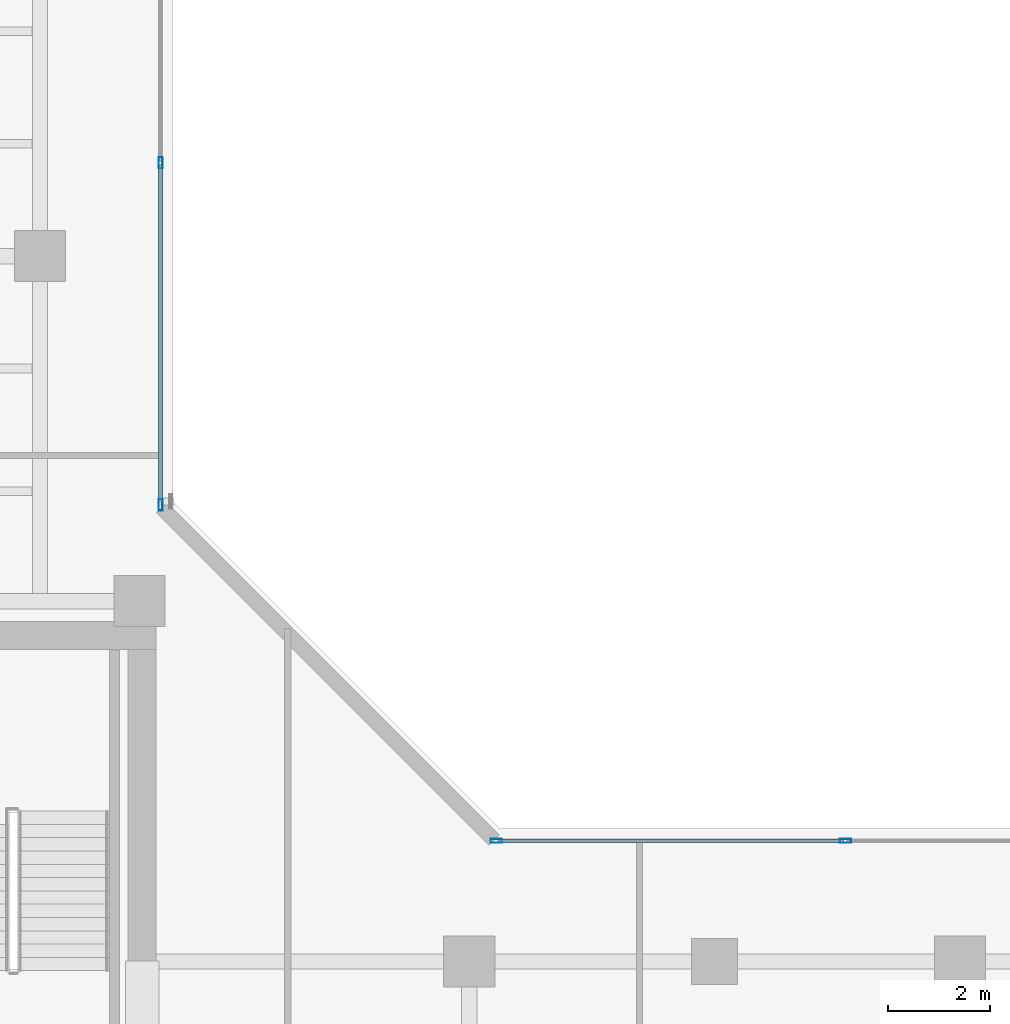
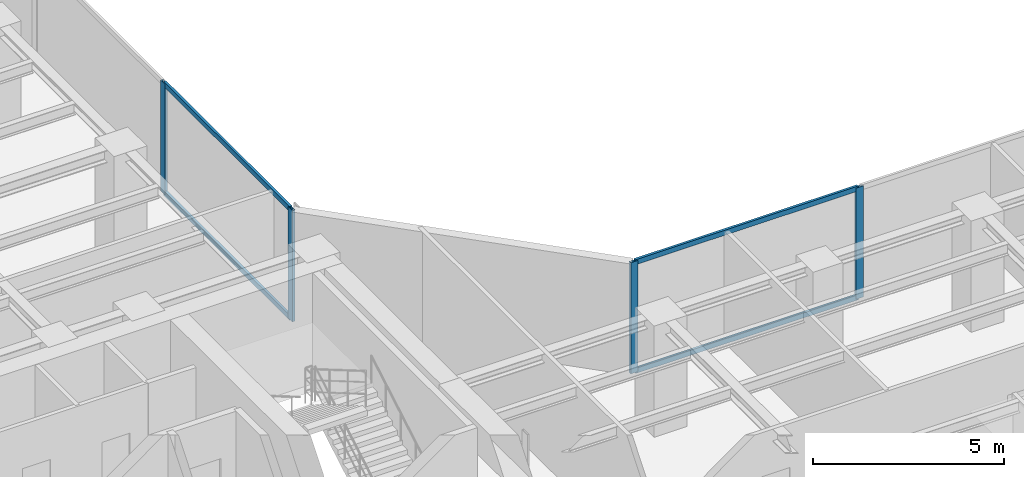
# One storey, part 9 of 23: 8 members, 2 elements without a shape of their own.
"""IFC4 building model written with IfcOpenShell, lengths in metres."""

import ifcopenshell
import ifcopenshell.guid

model = None  # the IFC model being written
_history = None  # IfcOwnerHistory: only IFC2X3 demands one
_inside = {}  # id of a spatial element -> (the spatial element, [elements in it])
_under = {}  # id of a project, library or spatial element -> (it, [spatial elements below it])
_declared = {}  # id of a project -> (the project, [libraries it declares])
_typed = {}  # id of a type object -> (the type object, [elements of that type])
_made_of = {}  # id of a material, layer set ... -> (it, [elements and type objects made of it])


def new_model(schema):
    """Start an empty IFC model of exactly this schema.

    Asked for "IFC4X3", IfcOpenShell would pick the latest addendum, in which some entities
    have other attributes; the version numbers below select the first issue.
    IFC2X3 requires an IfcOwnerHistory on every rooted entity: one is made here for all.
    """
    global model, _history
    if schema == "IFC4X3":
        model = ifcopenshell.file(schema_version=(4, 3, 0, 0))
    else:
        model = ifcopenshell.file(schema=schema)
    _inside.clear()
    _under.clear()
    _declared.clear()
    _typed.clear()
    _made_of.clear()
    _history = None
    if model.schema == "IFC2X3":
        org = make("IfcOrganization", Name="unknown")
        user = make(
            "IfcPersonAndOrganization",
            ThePerson=make("IfcPerson", FamilyName="unknown"),
            TheOrganization=org,
        )
        app = make(
            "IfcApplication",
            ApplicationDeveloper=org,
            Version="unknown",
            ApplicationFullName="unknown",
            ApplicationIdentifier="unknown",
        )
        _history = make(
            "IfcOwnerHistory",
            OwningUser=user,
            OwningApplication=app,
            ChangeAction="ADDED",
            CreationDate=0,
        )
    return model


def make(cls, **values):
    """One entity of the class cls with the attributes given. An attribute that is None is left unset."""
    return model.create_entity(
        cls, **{name: value for name, value in values.items() if value is not None}
    )


def rooted(cls, **values):
    """An entity with a GlobalId (a new one), such as an element, a storey or a relation."""
    return make(cls, GlobalId=ifcopenshell.guid.new(), OwnerHistory=_history, **values)


def si_unit(unit_type, name, prefix=None):
    """IfcSIUnit, for example si_unit("LENGTHUNIT", "METRE", prefix="MILLI")."""
    return make("IfcSIUnit", UnitType=unit_type, Prefix=prefix, Name=name)


def assignment(units):
    """IfcUnitAssignment: the units of a project."""
    return None if units is None else make("IfcUnitAssignment", Units=units)


def point(xyz):
    """IfcCartesianPoint."""
    return None if xyz is None else make("IfcCartesianPoint", Coordinates=xyz)


def direction(xyz):
    """IfcDirection."""
    return None if xyz is None else make("IfcDirection", DirectionRatios=xyz)


def frame(location, z_axis=None, x_axis=None):
    """IfcAxis2Placement3D, a coordinate frame: its origin and axes. An axis left out is left unset."""
    return make(
        "IfcAxis2Placement3D",
        Location=point(location),
        Axis=direction(z_axis),
        RefDirection=direction(x_axis),
    )


def frame_2d(location, x_axis=None):
    """IfcAxis2Placement2D, a coordinate frame in the plane: its origin and x axis."""
    return make(
        "IfcAxis2Placement2D", Location=point(location), RefDirection=direction(x_axis)
    )


def origin():
    """The frame at (0, 0, 0) with its axes left unset."""
    return frame((0.0, 0.0, 0.0))


def origin_with_axes():
    """The frame at (0, 0, 0) with the z axis (0, 0, 1) and the x axis (1, 0, 0) written out."""
    return frame((0.0, 0.0, 0.0), z_axis=(0.0, 0.0, 1.0), x_axis=(1.0, 0.0, 0.0))


def origin_2d():
    """The frame at (0, 0) in the plane with its x axis left unset."""
    return frame_2d((0.0, 0.0))


def place(relative_to, where):
    """IfcLocalPlacement: puts the frame where relative to a parent placement (None: the world)."""
    return make(
        "IfcLocalPlacement", PlacementRelTo=relative_to, RelativePlacement=where
    )


def context(
    kind, dimensions, precision=None, world=None, true_north=None, identifier=None
):
    """IfcGeometricRepresentationContext, for example the 3D "Model" context."""
    return make(
        "IfcGeometricRepresentationContext",
        ContextIdentifier=identifier,
        ContextType=kind,
        CoordinateSpaceDimension=dimensions,
        Precision=precision,
        WorldCoordinateSystem=world,
        TrueNorth=true_north,
    )


def subcontext(parent, identifier, kind, view, scale=None):
    """IfcGeometricRepresentationSubContext, for example "Body" below "Model"."""
    return make(
        "IfcGeometricRepresentationSubContext",
        ContextIdentifier=identifier,
        ContextType=kind,
        ParentContext=parent,
        TargetScale=scale,
        TargetView=view,
    )


def project(units=None, contexts=None):
    """IfcProject with its units and contexts."""
    return rooted(
        "IfcProject",
        Name="project",
        RepresentationContexts=contexts,
        UnitsInContext=assignment(units),
    )


def spatial(cls, under=None, at=None, **own):
    """A site, building, storey or space (cls), placed at a placement, below another one or the project."""
    s = rooted(cls, ObjectPlacement=at, **own)
    if under is not None:
        _under.setdefault(under.id(), (under, []))[1].append(s)
    return s


def profile(cls, at=None, kind="AREA", **sizes):
    """A parametric profile (cls). Its sizes go by their IFC names, for example OverallWidth=200.0."""
    return make(cls, ProfileType=kind, Position=at, **sizes)


def hollow_rectangle(**sizes):
    """IfcRectangleHollowProfileDef."""
    return profile("IfcRectangleHollowProfileDef", **sizes)


def extrude(swept, where, along, depth):
    """IfcExtrudedAreaSolid: the profile swept, set in the frame where, extruded along a direction by depth."""
    return make(
        "IfcExtrudedAreaSolid",
        SweptArea=swept,
        Position=where,
        ExtrudedDirection=direction(along),
        Depth=depth,
    )


def shape(context_of_items, identifier, shape_type, items):
    """IfcShapeRepresentation: the items that make up one representation, for example the "Body"."""
    return make(
        "IfcShapeRepresentation",
        ContextOfItems=context_of_items,
        RepresentationIdentifier=identifier,
        RepresentationType=shape_type,
        Items=items,
    )


def source(mapping_origin, context_of_items, identifier, shape_type, items):
    """IfcRepresentationMap: a shape defined once, which mapped items show again and again."""
    return make(
        "IfcRepresentationMap",
        MappingOrigin=mapping_origin,
        MappedRepresentation=shape(context_of_items, identifier, shape_type, items),
    )


def transform(
    local_origin,
    x_axis=None,
    y_axis=None,
    z_axis=None,
    scale=None,
    scale2=None,
    scale3=None,
    uniform=True,
):
    """IfcCartesianTransformationOperator3D, or its non-uniform kind. x_axis, y_axis, z_axis: its Axis1, 2, 3."""
    if uniform:
        return make(
            "IfcCartesianTransformationOperator3D",
            Axis1=direction(x_axis),
            Axis2=direction(y_axis),
            LocalOrigin=point(local_origin),
            Scale=scale,
            Axis3=direction(z_axis),
        )
    return make(
        "IfcCartesianTransformationOperator3DnonUniform",
        Axis1=direction(x_axis),
        Axis2=direction(y_axis),
        LocalOrigin=point(local_origin),
        Scale=scale,
        Axis3=direction(z_axis),
        Scale2=scale2,
        Scale3=scale3,
    )


def mapped(mapping_source, mapping_target):
    """IfcMappedItem: shows the shape of a source again, moved by a transform."""
    return make(
        "IfcMappedItem", MappingSource=mapping_source, MappingTarget=mapping_target
    )


def material(Name=None, Category=None):
    """IfcMaterial."""
    return make("IfcMaterial", Name=Name, Category=Category)


def layer(
    of_material, thickness, ventilated=None, Name=None, Category=None, Priority=None
):
    """IfcMaterialLayer: one layer of a wall or slab, of a material (None: an air gap)."""
    return make(
        "IfcMaterialLayer",
        Material=of_material,
        LayerThickness=thickness,
        IsVentilated=ventilated,
        Name=Name,
        Category=Category,
        Priority=Priority,
    )


def layer_set(layers, Name=None):
    """IfcMaterialLayerSet."""
    return make("IfcMaterialLayerSet", MaterialLayers=layers, LayerSetName=Name)


def material_profile(
    of_material, cross_section, Name=None, Category=None, Priority=None
):
    """IfcMaterialProfile: a cross section and its material."""
    return make(
        "IfcMaterialProfile",
        Name=Name,
        Material=of_material,
        Profile=cross_section,
        Priority=Priority,
        Category=Category,
    )


def profile_set(profiles, Name=None, composite=None):
    """IfcMaterialProfileSet."""
    return make(
        "IfcMaterialProfileSet",
        Name=Name,
        MaterialProfiles=profiles,
        CompositeProfile=composite,
    )


def made_of(thing, what):
    """Note that an element or type object is made of a material, layer set ...; save() writes the relation."""
    if what is not None:
        _made_of.setdefault(what.id(), (what, []))[1].append(thing)
    return thing


def type_object(cls, material=None, **own):
    """A type object (cls), such as IfcWallType, which elements share."""
    return made_of(rooted(cls, **own), material)


def element(
    cls,
    number,
    at=None,
    inside=None,
    cuts=None,
    type_object=None,
    material=None,
    context=None,
    identifier="Body",
    shape_type=None,
    held_by="IfcProductDefinitionShape",
    body=None,
    shapes=None,
    **own,
):
    """One element of the class cls, such as IfcWall. Its Tag is "e" and its number.

    at: its placement. inside: the storey or other place that contains it. cuts: it is an
    opening in that element (IfcRelVoidsElement). A single representation is given by context,
    identifier, shape_type and body (its items); several are given by shapes. held_by: the class
    of the entity that holds the representations. save() writes the other relations.
    """
    e = rooted(cls, Tag="e%d" % number, ObjectPlacement=at, **own)
    if body is not None:
        shapes = [shape(context, identifier, shape_type, body)]
    if shapes is not None:
        e.Representation = make(held_by, Representations=shapes)
    if inside is not None:
        _inside.setdefault(inside.id(), (inside, []))[1].append(e)
    if cuts is not None:
        rooted(
            "IfcRelVoidsElement", RelatingBuildingElement=cuts, RelatedOpeningElement=e
        )
    if type_object is not None:
        _typed.setdefault(type_object.id(), (type_object, []))[1].append(e)
    return made_of(e, material)


def aggregate(whole, parts):
    """IfcRelAggregates: a whole, such as a stair, and the parts it consists of."""
    return rooted("IfcRelAggregates", RelatingObject=whole, RelatedObjects=parts)


def save(model, path):
    """Write the relations noted so far, then the file.

    IfcRelAggregates (storeys below a building ...), IfcRelContainedInSpatialStructure (elements
    in a storey), IfcRelDefinesByType, IfcRelAssociatesMaterial and IfcRelDeclares: one each for
    every whole, place, type object, material and project.
    """
    for whole, parts in _under.values():
        aggregate(whole, parts)
    for where, things in _inside.values():
        rooted(
            "IfcRelContainedInSpatialStructure",
            RelatedElements=things,
            RelatingStructure=where,
        )
    for kind, things in _typed.values():
        rooted("IfcRelDefinesByType", RelatedObjects=things, RelatingType=kind)
    for what, things in _made_of.values():
        rooted("IfcRelAssociatesMaterial", RelatedObjects=things, RelatingMaterial=what)
    for by, libraries in _declared.values():
        rooted("IfcRelDeclares", RelatingContext=by, RelatedDefinitions=libraries)
    model.write(path)


model = new_model("IFC4")

# Units and contexts
model_context = context("Model", 3, precision=1e-05, world=origin(), true_north=direction((0.0, 1.0)))
body_context = subcontext(model_context, "Body", "Model", "MODEL_VIEW")
ifc_project = project(units=[si_unit("LENGTHUNIT", "METRE"), si_unit("AREAUNIT", "SQUARE_METRE"), si_unit("VOLUMEUNIT", "CUBIC_METRE"), si_unit("PLANEANGLEUNIT", "RADIAN"), si_unit("MASSUNIT", "GRAM", prefix="KILO")], contexts=[model_context])

# Site, building, storey
site_placement = place(None, origin())
site = spatial("IfcSite", under=ifc_project, at=site_placement, CompositionType="ELEMENT")
building_placement = place(site_placement, origin())
building = spatial("IfcBuilding", under=site, at=building_placement, Name="Kolvaren Waterfront Exchange", CompositionType="ELEMENT")
storey_placement = place(building_placement, frame((0.0, 0.0, 242.5)))
storey = spatial("IfcBuildingStorey", under=building, at=storey_placement, Name="L62", CompositionType="ELEMENT", Elevation=242.5)

# Curtain wall, members
ifc_material_1 = material(Name="Anodised bronze aluminium 6063-T6", Category="aluminium")
ifc_layer = layer(ifc_material_1, 0.219970703125, Name="Anodised bronze aluminium 6063-T6")
ifc_layer_set = layer_set([ifc_layer], Name="Anodised bronze aluminium 6063-T6")
curtain_wall_type = type_object("IfcCurtainWallType", Name="ARC-CW-SYS1", PredefinedType="USERDEFINED", material=ifc_layer_set)
curtain_wall_1_placement = place(storey_placement, origin())
curtain_wall_1 = element("IfcCurtainWall", 1, at=curtain_wall_1_placement, inside=storey, type_object=curtain_wall_type, Name="L62 stick curtain wall CW1 (CW-L62-NE)", ObjectType="STICK CURTAIN WALL", PredefinedType="USERDEFINED")
ifc_material_2 = material(Name="Anodised aluminium 6063-T6", Category="aluminium")
ifc_material_profile_1 = material_profile(ifc_material_2, hollow_rectangle(XDim=0.080078125, YDim=0.219970703125, WallThickness=0.0048828125, at=origin_2d()), Name="ALU-MUL-220x80x5")
ifc_profile_set_1 = profile_set([ifc_material_profile_1], Name="Anodised aluminium 6063-T6")
member_type_1 = type_object("IfcMemberType", Name="ARC-CWM-220", PredefinedType="MULLION", material=ifc_profile_set_1)
shared_shape_1 = source(origin_with_axes(), body_context, "Body", "SweptSolid", [
    extrude(hollow_rectangle(XDim=0.080078125, YDim=0.219970703125, WallThickness=0.0048828125, at=origin_2d()), origin(), (0.0, 0.0, 1.0), 3.56005859375),
])
member_1_placement = place(storey_placement, frame((21.159912109375, 26.330078125, 0.0), z_axis=(0.0, 0.0, 1.0), x_axis=(-1.0, 0.0, 0.0)))
member_1 = element("IfcMember", 2, at=member_1_placement, type_object=member_type_1, Name="CW1 mullion 1", PredefinedType="MULLION", context=body_context, shape_type="MappedRepresentation", body=[
    mapped(shared_shape_1, transform((0.0, 0.0, 0.0), x_axis=(1.0, 0.0, 0.0), y_axis=(0.0, 1.0, 0.0), z_axis=(0.0, 0.0, 1.0), scale=1.0)),
])
member_2_placement = place(storey_placement, frame((21.159912109375, 33.026611328125, 0.0), z_axis=(0.0, 0.0, 1.0), x_axis=(-1.0, 0.0, 0.0)))
member_2 = element("IfcMember", 3, at=member_2_placement, type_object=member_type_1, Name="CW1 mullion 2", PredefinedType="MULLION", context=body_context, shape_type="MappedRepresentation", body=[
    mapped(shared_shape_1, transform((0.0, 0.0, 0.0), x_axis=(1.0, 0.0, 0.0), y_axis=(0.0, 1.0, 0.0), z_axis=(0.0, 0.0, 1.0), scale=1.0)),
])

curtain_wall_2_placement = place(storey_placement, origin())
curtain_wall_2 = element("IfcCurtainWall", 4, at=curtain_wall_2_placement, inside=storey, type_object=curtain_wall_type, Name="L62 stick curtain wall CW1 (CW-L62-EN)", ObjectType="STICK CURTAIN WALL", PredefinedType="USERDEFINED")
member_3_placement = place(storey_placement, frame((27.72998046875, 19.760009765625, 0.0), z_axis=(0.0, 0.0, 1.0), x_axis=(0.0, 1.0, 0.0)))
member_3 = element("IfcMember", 5, at=member_3_placement, type_object=member_type_1, Name="CW1 mullion 1", PredefinedType="MULLION", context=body_context, shape_type="MappedRepresentation", body=[
    mapped(shared_shape_1, transform((0.0, 0.0, 0.0), x_axis=(1.0, 0.0, 0.0), y_axis=(0.0, 1.0, 0.0), z_axis=(0.0, 0.0, 1.0), scale=1.0)),
])
member_4_placement = place(storey_placement, frame((34.56005859375, 19.760009765625, 0.0), z_axis=(0.0, 0.0, 1.0), x_axis=(0.0, 1.0, 0.0)))
member_4 = element("IfcMember", 6, at=member_4_placement, type_object=member_type_1, Name="CW1 mullion 2", PredefinedType="MULLION", context=body_context, shape_type="MappedRepresentation", body=[
    mapped(shared_shape_1, transform((0.0, 0.0, 0.0), x_axis=(1.0, 0.0, 0.0), y_axis=(0.0, 1.0, 0.0), z_axis=(0.0, 0.0, 1.0), scale=1.0)),
])

# Member
ifc_material_profile_2 = material_profile(ifc_material_2, hollow_rectangle(XDim=0.074951171875, YDim=0.159912109375, WallThickness=0.00439453125, at=origin_2d()), Name="ALU-TRN-160x75x4.5")
ifc_profile_set_2 = profile_set([ifc_material_profile_2], Name="Anodised aluminium 6063-T6")
member_type_2 = type_object("IfcMemberType", Name="ARC-CWT-160", PredefinedType="USERDEFINED", material=ifc_profile_set_2)
shared_shape_2 = source(origin_with_axes(), body_context, "Body", "SweptSolid", [
    extrude(hollow_rectangle(XDim=0.074951171875, YDim=0.159912109375, WallThickness=0.00439453125, at=origin_2d()), origin(), (0.0, 0.0, 1.0), 6.616455078125),
])
member_5_placement = place(storey_placement, frame((21.159912109375, 26.3701171875, 0.03759765625), z_axis=(0.0, 1.0, 0.0), x_axis=(-1.0, 0.0, 0.0)))
member_5 = element("IfcMember", 7, at=member_5_placement, type_object=member_type_2, Name="CW1 transom 1.1", ObjectType="TRANSOM", PredefinedType="USERDEFINED", context=body_context, shape_type="MappedRepresentation", body=[
    mapped(shared_shape_2, transform((0.0, 0.0, 0.0), x_axis=(1.0, 0.0, 0.0), y_axis=(0.0, 1.0, 0.0), z_axis=(0.0, 0.0, 1.0), scale=1.0)),
])

member_6_placement = place(storey_placement, frame((21.159912109375, 26.3701171875, 3.5224609375), z_axis=(0.0, 1.0, 0.0), x_axis=(-1.0, 0.0, 0.0)))
member_6 = element("IfcMember", 8, at=member_6_placement, type_object=member_type_2, Name="CW1 transom 1.2", ObjectType="TRANSOM", PredefinedType="USERDEFINED", context=body_context, shape_type="MappedRepresentation", body=[
    mapped(shared_shape_2, transform((0.0, 0.0, 0.0), x_axis=(1.0, 0.0, 0.0), y_axis=(0.0, 1.0, 0.0), z_axis=(0.0, 0.0, 1.0), scale=1.0)),
])

aggregate(curtain_wall_1, [member_1, member_2, member_5, member_6])

shared_shape_3 = source(origin_with_axes(), body_context, "Body", "SweptSolid", [
    extrude(hollow_rectangle(XDim=0.074951171875, YDim=0.159912109375, WallThickness=0.00439453125, at=origin_2d()), origin(), (0.0, 0.0, 1.0), 6.75),
])
member_7_placement = place(storey_placement, frame((27.77001953125, 19.760009765625, 0.03759765625), z_axis=(1.0, 0.0, 0.0), x_axis=(0.0, 1.0, 0.0)))
member_7 = element("IfcMember", 9, at=member_7_placement, type_object=member_type_2, Name="CW1 transom 1.1", ObjectType="TRANSOM", PredefinedType="USERDEFINED", context=body_context, shape_type="MappedRepresentation", body=[
    mapped(shared_shape_3, transform((0.0, 0.0, 0.0), x_axis=(1.0, 0.0, 0.0), y_axis=(0.0, 1.0, 0.0), z_axis=(0.0, 0.0, 1.0), scale=1.0)),
])

member_8_placement = place(storey_placement, frame((27.77001953125, 19.760009765625, 3.5224609375), z_axis=(1.0, 0.0, 0.0), x_axis=(0.0, 1.0, 0.0)))
member_8 = element("IfcMember", 10, at=member_8_placement, type_object=member_type_2, Name="CW1 transom 1.2", ObjectType="TRANSOM", PredefinedType="USERDEFINED", context=body_context, shape_type="MappedRepresentation", body=[
    mapped(shared_shape_3, transform((0.0, 0.0, 0.0), x_axis=(1.0, 0.0, 0.0), y_axis=(0.0, 1.0, 0.0), z_axis=(0.0, 0.0, 1.0), scale=1.0)),
])

aggregate(curtain_wall_2, [member_3, member_4, member_7, member_8])

save(model, "model.ifc")
